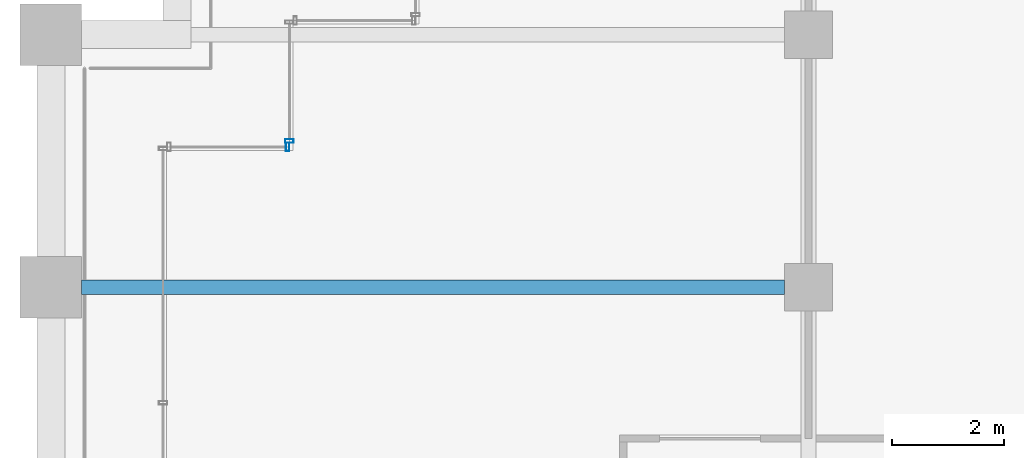
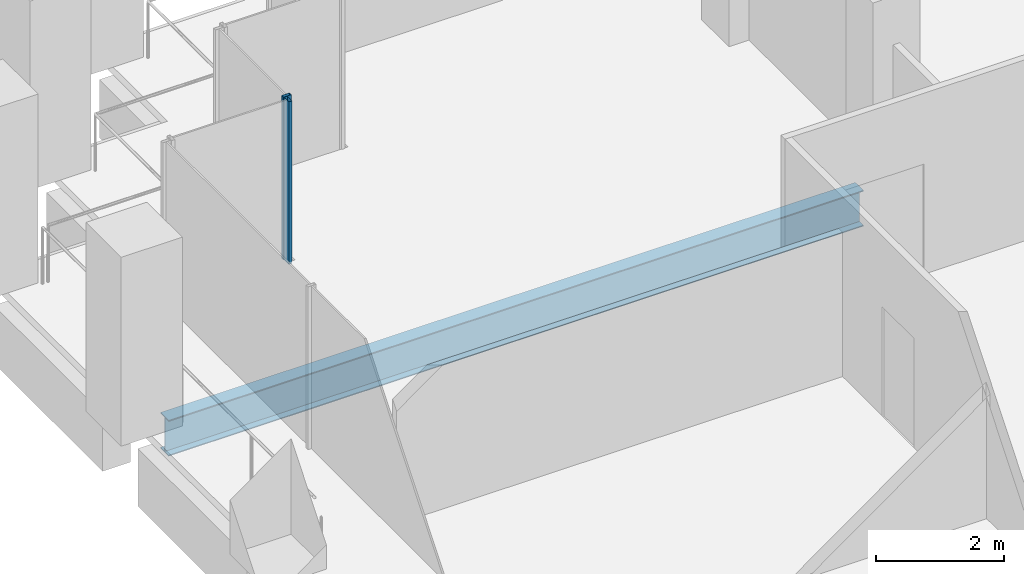
# One storey, part 24 of 56: 2 members, 1 beam, 2 elements without a shape of their own.
"""IFC4 building model written with IfcOpenShell, lengths in metres."""

from ifc_helpers import new_model, si_unit, direction, frame, origin, origin_2d, place, context, subcontext, project, spatial, hollow_rectangle, i_section, extrude, material, material_profile, profile_set, type_object, element, aggregate, save


model = new_model("IFC4")

# Units and contexts
model_context = context("Model", 3, precision=1e-05, world=origin(), true_north=direction((0.0, 1.0)))
body_context = subcontext(model_context, "Body", "Model", "MODEL_VIEW")
ifc_project = project(units=[si_unit("LENGTHUNIT", "METRE"), si_unit("AREAUNIT", "SQUARE_METRE"), si_unit("VOLUMEUNIT", "CUBIC_METRE"), si_unit("PLANEANGLEUNIT", "RADIAN"), si_unit("MASSUNIT", "GRAM", prefix="KILO")], contexts=[model_context])

# Site, building, storey
site_placement = place(None, origin())
site = spatial("IfcSite", under=ifc_project, at=site_placement, CompositionType="ELEMENT")
building_placement = place(site_placement, origin())
building = spatial("IfcBuilding", under=site, at=building_placement, Name="Altepetl Exchange Towers", CompositionType="ELEMENT")
storey_placement = place(building_placement, frame((0.0, 0.0, 76.199951171875)))
storey = spatial("IfcBuildingStorey", under=building, at=storey_placement, Name="L18", CompositionType="ELEMENT", Elevation=76.199951171875)

# Beam
ifc_material_1 = material(Name="Steel S355", Category="steel")
ifc_material_profile_1 = material_profile(ifc_material_1, i_section(OverallWidth=0.25390625, OverallDepth=0.68408203125, WebThickness=0.012451171875, FlangeThickness=0.018798828125, at=origin_2d()), Name="W27X94")
ifc_profile_set_1 = profile_set([ifc_material_profile_1], Name="Steel S355")
beam_type = type_object("IfcBeamType", Name="Floor beam W27X94", PredefinedType="BEAM", material=ifc_profile_set_1)
beam_placement = place(storey_placement, frame((27.550048828125, 63.0, -0.491943359375), z_axis=(1.0, 0.0, 0.0), x_axis=(0.0, 1.0, 0.0)))
element("IfcBeam", 1, at=beam_placement, inside=storey, type_object=beam_type, Name="bm:A:L18:022", PredefinedType="BEAM", context=body_context, shape_type="SweptSolid", body=[
    extrude(i_section(OverallWidth=0.25390625, OverallDepth=0.68408203125, WebThickness=0.012451171875, FlangeThickness=0.018798828125, at=origin_2d()), origin(), (0.0, 0.0, 1.0), 12.52490234375),
])

# Curtain wall, member
ifc_material_2 = material(Name="Aluminium 6063-T6 glazing", Category="aluminium")
curtain_wall_type = type_object("IfcCurtainWallType", Name="Loggia glazing system", PredefinedType="NOTDEFINED", material=ifc_material_2)
curtain_wall_1_placement = place(storey_placement, origin())
curtain_wall_1 = element("IfcCurtainWall", 2, at=curtain_wall_1_placement, inside=storey, type_object=curtain_wall_type, Name="CW1 run", PredefinedType="NOTDEFINED")
ifc_material_3 = material(Name="Aluminium 6063-T6", Category="aluminium")
ifc_material_profile_2 = material_profile(ifc_material_3, hollow_rectangle(XDim=0.06005859375, YDim=0.14990234375, WallThickness=0.0029296875, at=origin_2d()), Name="Mullion 60x150 aluminium")
ifc_profile_set_2 = profile_set([ifc_material_profile_2], Name="Aluminium 6063-T6")
member_type = type_object("IfcMemberType", Name="Mullion 60x150 aluminium", PredefinedType="MULLION", material=ifc_profile_set_2)
member_1_placement = place(storey_placement, frame((31.219970703125, 65.5, 0.0), z_axis=(0.0, 0.0, 1.0), x_axis=(-1.0, 0.0, 0.0)))
member_1 = element("IfcMember", 3, at=member_1_placement, type_object=member_type, Name="MU1 mullion", PredefinedType="MULLION", context=body_context, shape_type="SweptSolid", body=[
    extrude(hollow_rectangle(XDim=0.06005859375, YDim=0.14990234375, WallThickness=0.0029296875, at=origin_2d()), origin(), (0.0, 0.0, 1.0), 3.10009765625),
])
aggregate(curtain_wall_1, [member_1])

curtain_wall_2_placement = place(storey_placement, origin())
curtain_wall_2 = element("IfcCurtainWall", 4, at=curtain_wall_2_placement, inside=storey, type_object=curtain_wall_type, Name="CW1 run", PredefinedType="NOTDEFINED")
member_2_placement = place(storey_placement, frame((31.25, 65.60498046875, 0.0), z_axis=(0.0, 0.0, 1.0), x_axis=(0.0, -1.0, 0.0)))
member_2 = element("IfcMember", 5, at=member_2_placement, type_object=member_type, Name="MU1 mullion", PredefinedType="MULLION", context=body_context, shape_type="SweptSolid", body=[
    extrude(hollow_rectangle(XDim=0.06005859375, YDim=0.14990234375, WallThickness=0.0029296875, at=origin_2d()), origin(), (0.0, 0.0, 1.0), 3.10009765625),
])
aggregate(curtain_wall_2, [member_2])

save(model, "model.ifc")
